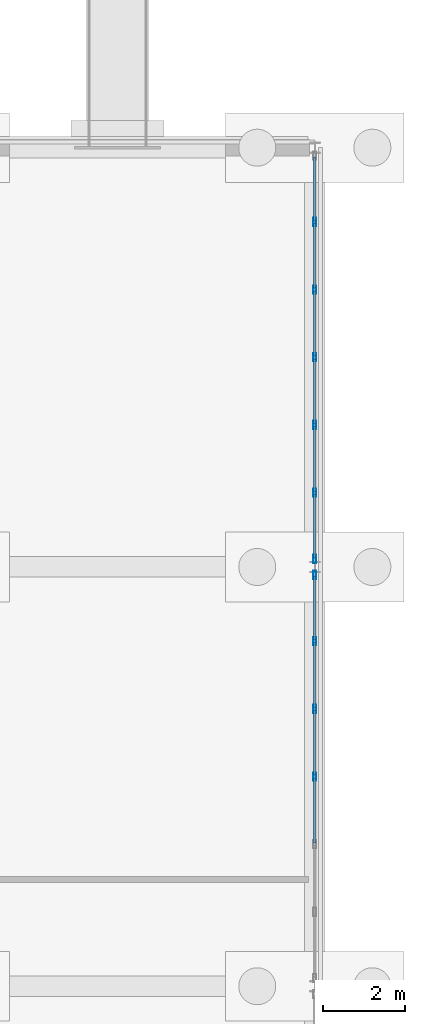
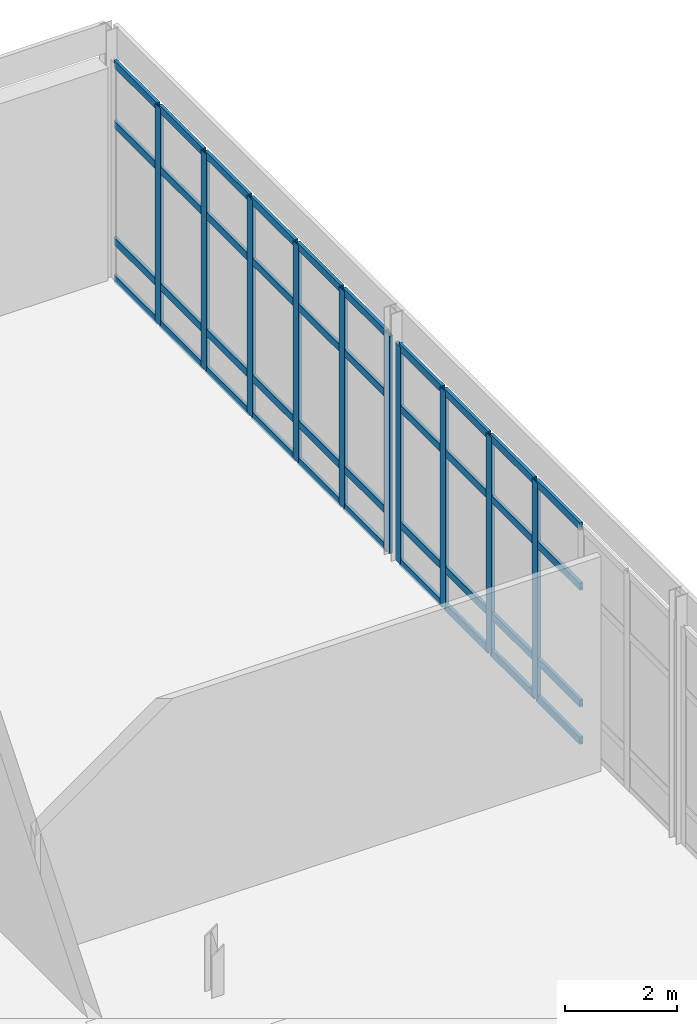
# One storey, part 79 of 137: 50 members, 2 elements without a shape of their own.
"""IFC4 building model written with IfcOpenShell, lengths in metres."""

import ifcopenshell
import ifcopenshell.guid

model = None  # the IFC model being written
_history = None  # IfcOwnerHistory: only IFC2X3 demands one
_inside = {}  # id of a spatial element -> (the spatial element, [elements in it])
_under = {}  # id of a project, library or spatial element -> (it, [spatial elements below it])
_declared = {}  # id of a project -> (the project, [libraries it declares])
_typed = {}  # id of a type object -> (the type object, [elements of that type])
_made_of = {}  # id of a material, layer set ... -> (it, [elements and type objects made of it])


def new_model(schema):
    """Start an empty IFC model of exactly this schema.

    Asked for "IFC4X3", IfcOpenShell would pick the latest addendum, in which some entities
    have other attributes; the version numbers below select the first issue.
    IFC2X3 requires an IfcOwnerHistory on every rooted entity: one is made here for all.
    """
    global model, _history
    if schema == "IFC4X3":
        model = ifcopenshell.file(schema_version=(4, 3, 0, 0))
    else:
        model = ifcopenshell.file(schema=schema)
    _inside.clear()
    _under.clear()
    _declared.clear()
    _typed.clear()
    _made_of.clear()
    _history = None
    if model.schema == "IFC2X3":
        org = make("IfcOrganization", Name="unknown")
        user = make(
            "IfcPersonAndOrganization",
            ThePerson=make("IfcPerson", FamilyName="unknown"),
            TheOrganization=org,
        )
        app = make(
            "IfcApplication",
            ApplicationDeveloper=org,
            Version="unknown",
            ApplicationFullName="unknown",
            ApplicationIdentifier="unknown",
        )
        _history = make(
            "IfcOwnerHistory",
            OwningUser=user,
            OwningApplication=app,
            ChangeAction="ADDED",
            CreationDate=0,
        )
    return model


def make(cls, **values):
    """One entity of the class cls with the attributes given. An attribute that is None is left unset."""
    return model.create_entity(
        cls, **{name: value for name, value in values.items() if value is not None}
    )


def rooted(cls, **values):
    """An entity with a GlobalId (a new one), such as an element, a storey or a relation."""
    return make(cls, GlobalId=ifcopenshell.guid.new(), OwnerHistory=_history, **values)


def si_unit(unit_type, name, prefix=None):
    """IfcSIUnit, for example si_unit("LENGTHUNIT", "METRE", prefix="MILLI")."""
    return make("IfcSIUnit", UnitType=unit_type, Prefix=prefix, Name=name)


def assignment(units):
    """IfcUnitAssignment: the units of a project."""
    return None if units is None else make("IfcUnitAssignment", Units=units)


def point(xyz):
    """IfcCartesianPoint."""
    return None if xyz is None else make("IfcCartesianPoint", Coordinates=xyz)


def direction(xyz):
    """IfcDirection."""
    return None if xyz is None else make("IfcDirection", DirectionRatios=xyz)


def frame(location, z_axis=None, x_axis=None):
    """IfcAxis2Placement3D, a coordinate frame: its origin and axes. An axis left out is left unset."""
    return make(
        "IfcAxis2Placement3D",
        Location=point(location),
        Axis=direction(z_axis),
        RefDirection=direction(x_axis),
    )


def frame_2d(location, x_axis=None):
    """IfcAxis2Placement2D, a coordinate frame in the plane: its origin and x axis."""
    return make(
        "IfcAxis2Placement2D", Location=point(location), RefDirection=direction(x_axis)
    )


def origin():
    """The frame at (0, 0, 0) with its axes left unset."""
    return frame((0.0, 0.0, 0.0))


def origin_2d():
    """The frame at (0, 0) in the plane with its x axis left unset."""
    return frame_2d((0.0, 0.0))


def place(relative_to, where):
    """IfcLocalPlacement: puts the frame where relative to a parent placement (None: the world)."""
    return make(
        "IfcLocalPlacement", PlacementRelTo=relative_to, RelativePlacement=where
    )


def context(
    kind, dimensions, precision=None, world=None, true_north=None, identifier=None
):
    """IfcGeometricRepresentationContext, for example the 3D "Model" context."""
    return make(
        "IfcGeometricRepresentationContext",
        ContextIdentifier=identifier,
        ContextType=kind,
        CoordinateSpaceDimension=dimensions,
        Precision=precision,
        WorldCoordinateSystem=world,
        TrueNorth=true_north,
    )


def subcontext(parent, identifier, kind, view, scale=None):
    """IfcGeometricRepresentationSubContext, for example "Body" below "Model"."""
    return make(
        "IfcGeometricRepresentationSubContext",
        ContextIdentifier=identifier,
        ContextType=kind,
        ParentContext=parent,
        TargetScale=scale,
        TargetView=view,
    )


def project(units=None, contexts=None):
    """IfcProject with its units and contexts."""
    return rooted(
        "IfcProject",
        Name="project",
        RepresentationContexts=contexts,
        UnitsInContext=assignment(units),
    )


def spatial(cls, under=None, at=None, **own):
    """A site, building, storey or space (cls), placed at a placement, below another one or the project."""
    s = rooted(cls, ObjectPlacement=at, **own)
    if under is not None:
        _under.setdefault(under.id(), (under, []))[1].append(s)
    return s


def profile(cls, at=None, kind="AREA", **sizes):
    """A parametric profile (cls). Its sizes go by their IFC names, for example OverallWidth=200.0."""
    return make(cls, ProfileType=kind, Position=at, **sizes)


def hollow_rectangle(**sizes):
    """IfcRectangleHollowProfileDef."""
    return profile("IfcRectangleHollowProfileDef", **sizes)


def extrude(swept, where, along, depth):
    """IfcExtrudedAreaSolid: the profile swept, set in the frame where, extruded along a direction by depth."""
    return make(
        "IfcExtrudedAreaSolid",
        SweptArea=swept,
        Position=where,
        ExtrudedDirection=direction(along),
        Depth=depth,
    )


def shape(context_of_items, identifier, shape_type, items):
    """IfcShapeRepresentation: the items that make up one representation, for example the "Body"."""
    return make(
        "IfcShapeRepresentation",
        ContextOfItems=context_of_items,
        RepresentationIdentifier=identifier,
        RepresentationType=shape_type,
        Items=items,
    )


def material(Name=None, Category=None):
    """IfcMaterial."""
    return make("IfcMaterial", Name=Name, Category=Category)


def material_profile(
    of_material, cross_section, Name=None, Category=None, Priority=None
):
    """IfcMaterialProfile: a cross section and its material."""
    return make(
        "IfcMaterialProfile",
        Name=Name,
        Material=of_material,
        Profile=cross_section,
        Priority=Priority,
        Category=Category,
    )


def profile_set(profiles, Name=None, composite=None):
    """IfcMaterialProfileSet."""
    return make(
        "IfcMaterialProfileSet",
        Name=Name,
        MaterialProfiles=profiles,
        CompositeProfile=composite,
    )


def made_of(thing, what):
    """Note that an element or type object is made of a material, layer set ...; save() writes the relation."""
    if what is not None:
        _made_of.setdefault(what.id(), (what, []))[1].append(thing)
    return thing


def type_object(cls, material=None, **own):
    """A type object (cls), such as IfcWallType, which elements share."""
    return made_of(rooted(cls, **own), material)


def element(
    cls,
    number,
    at=None,
    inside=None,
    cuts=None,
    type_object=None,
    material=None,
    context=None,
    identifier="Body",
    shape_type=None,
    held_by="IfcProductDefinitionShape",
    body=None,
    shapes=None,
    **own,
):
    """One element of the class cls, such as IfcWall. Its Tag is "e" and its number.

    at: its placement. inside: the storey or other place that contains it. cuts: it is an
    opening in that element (IfcRelVoidsElement). A single representation is given by context,
    identifier, shape_type and body (its items); several are given by shapes. held_by: the class
    of the entity that holds the representations. save() writes the other relations.
    """
    e = rooted(cls, Tag="e%d" % number, ObjectPlacement=at, **own)
    if body is not None:
        shapes = [shape(context, identifier, shape_type, body)]
    if shapes is not None:
        e.Representation = make(held_by, Representations=shapes)
    if inside is not None:
        _inside.setdefault(inside.id(), (inside, []))[1].append(e)
    if cuts is not None:
        rooted(
            "IfcRelVoidsElement", RelatingBuildingElement=cuts, RelatedOpeningElement=e
        )
    if type_object is not None:
        _typed.setdefault(type_object.id(), (type_object, []))[1].append(e)
    return made_of(e, material)


def aggregate(whole, parts):
    """IfcRelAggregates: a whole, such as a stair, and the parts it consists of."""
    return rooted("IfcRelAggregates", RelatingObject=whole, RelatedObjects=parts)


def save(model, path):
    """Write the relations noted so far, then the file.

    IfcRelAggregates (storeys below a building ...), IfcRelContainedInSpatialStructure (elements
    in a storey), IfcRelDefinesByType, IfcRelAssociatesMaterial and IfcRelDeclares: one each for
    every whole, place, type object, material and project.
    """
    for whole, parts in _under.values():
        aggregate(whole, parts)
    for where, things in _inside.values():
        rooted(
            "IfcRelContainedInSpatialStructure",
            RelatedElements=things,
            RelatingStructure=where,
        )
    for kind, things in _typed.values():
        rooted("IfcRelDefinesByType", RelatedObjects=things, RelatingType=kind)
    for what, things in _made_of.values():
        rooted("IfcRelAssociatesMaterial", RelatedObjects=things, RelatingMaterial=what)
    for by, libraries in _declared.values():
        rooted("IfcRelDeclares", RelatingContext=by, RelatedDefinitions=libraries)
    model.write(path)


model = new_model("IFC4")

# Units and contexts
model_context = context("Model", 3, precision=1e-05, world=origin(), true_north=direction((0.0, 1.0)))
body_context = subcontext(model_context, "Body", "Model", "MODEL_VIEW")
ifc_project = project(units=[si_unit("LENGTHUNIT", "METRE"), si_unit("AREAUNIT", "SQUARE_METRE"), si_unit("VOLUMEUNIT", "CUBIC_METRE"), si_unit("PLANEANGLEUNIT", "RADIAN"), si_unit("MASSUNIT", "GRAM", prefix="KILO")], contexts=[model_context])

# Site, building, storey
site_placement = place(None, origin())
site = spatial("IfcSite", under=ifc_project, at=site_placement, CompositionType="ELEMENT")
building_placement = place(site_placement, origin())
building = spatial("IfcBuilding", under=site, at=building_placement, Name="Vondelvale Polytechnic", CompositionType="ELEMENT")
storey_placement = place(building_placement, origin())
storey = spatial("IfcBuildingStorey", under=building, at=storey_placement, Name="L00", CompositionType="ELEMENT", Elevation=0.0)

# Curtain wall, members
ifc_material = material(Name="Anodised extruded aluminium 6063-T6", Category="aluminium")
curtain_wall_type = type_object("IfcCurtainWallType", Name="CW-REFECTORY", PredefinedType="NOTDEFINED", material=ifc_material)
curtain_wall_1_placement = place(storey_placement, origin())
curtain_wall_1 = element("IfcCurtainWall", 1, at=curtain_wall_1_placement, inside=storey, type_object=curtain_wall_type, Name="L00 architectural curtain wall CW-05-387", PredefinedType="NOTDEFINED")
ifc_material_profile_1 = material_profile(ifc_material, hollow_rectangle(XDim=0.070068359375, YDim=0.199951171875, WallThickness=0.00390625, at=origin_2d()), Name="CW-MUL-200x70")
ifc_profile_set_1 = profile_set([ifc_material_profile_1], Name="Anodised extruded aluminium 6063-T6")
member_type_1 = type_object("IfcMemberType", Name="CW-MUL-70x200", PredefinedType="MULLION", material=ifc_profile_set_1)
member_1_placement = place(storey_placement, frame((172.800048828125, 76.5, 0.0), z_axis=(0.0, 0.0, 1.0), x_axis=(-1.0, 0.0, 0.0)))
member_1 = element("IfcMember", 2, at=member_1_placement, type_object=member_type_1, Name="CW-05-387 mullion 4", PredefinedType="MULLION", context=body_context, shape_type="SweptSolid", body=[
    extrude(hollow_rectangle(XDim=0.070068359375, YDim=0.199951171875, WallThickness=0.00390625, at=origin_2d()), origin(), (0.0, 0.0, 1.0), 4.75),
])
member_2_placement = place(storey_placement, frame((172.800048828125, 78.146728515625, 0.0), z_axis=(0.0, 0.0, 1.0), x_axis=(-1.0, 0.0, 0.0)))
member_2 = element("IfcMember", 3, at=member_2_placement, type_object=member_type_1, Name="CW-05-387 mullion 5", PredefinedType="MULLION", context=body_context, shape_type="SweptSolid", body=[
    extrude(hollow_rectangle(XDim=0.070068359375, YDim=0.199951171875, WallThickness=0.00390625, at=origin_2d()), origin(), (0.0, 0.0, 1.0), 4.75),
])
member_3_placement = place(storey_placement, frame((172.800048828125, 79.793212890625, 0.0), z_axis=(0.0, 0.0, 1.0), x_axis=(-1.0, 0.0, 0.0)))
member_3 = element("IfcMember", 4, at=member_3_placement, type_object=member_type_1, Name="CW-05-387 mullion 6", PredefinedType="MULLION", context=body_context, shape_type="SweptSolid", body=[
    extrude(hollow_rectangle(XDim=0.070068359375, YDim=0.199951171875, WallThickness=0.00390625, at=origin_2d()), origin(), (0.0, 0.0, 1.0), 4.75),
])
member_4_placement = place(storey_placement, frame((172.800048828125, 81.405029296875, 0.0), z_axis=(0.0, 0.0, 1.0), x_axis=(-1.0, 0.0, 0.0)))
member_4 = element("IfcMember", 5, at=member_4_placement, type_object=member_type_1, Name="CW-05-387 mullion 7", PredefinedType="MULLION", context=body_context, shape_type="SweptSolid", body=[
    extrude(hollow_rectangle(XDim=0.070068359375, YDim=0.199951171875, WallThickness=0.00390625, at=origin_2d()), origin(), (0.0, 0.0, 1.0), 4.75),
])

curtain_wall_2_placement = place(storey_placement, origin())
curtain_wall_2 = element("IfcCurtainWall", 6, at=curtain_wall_2_placement, inside=storey, type_object=curtain_wall_type, Name="L00 architectural curtain wall CW-05-388", PredefinedType="NOTDEFINED")
member_5_placement = place(storey_placement, frame((172.800048828125, 81.794921875, 0.0), z_axis=(0.0, 0.0, 1.0), x_axis=(-1.0, 0.0, 0.0)))
member_5 = element("IfcMember", 7, at=member_5_placement, type_object=member_type_1, Name="CW-05-388 mullion 1", PredefinedType="MULLION", context=body_context, shape_type="SweptSolid", body=[
    extrude(hollow_rectangle(XDim=0.070068359375, YDim=0.199951171875, WallThickness=0.00390625, at=origin_2d()), origin(), (0.0, 0.0, 1.0), 4.75),
])
member_6_placement = place(storey_placement, frame((172.800048828125, 83.40673828125, 0.0), z_axis=(0.0, 0.0, 1.0), x_axis=(-1.0, 0.0, 0.0)))
member_6 = element("IfcMember", 8, at=member_6_placement, type_object=member_type_1, Name="CW-05-388 mullion 2", PredefinedType="MULLION", context=body_context, shape_type="SweptSolid", body=[
    extrude(hollow_rectangle(XDim=0.070068359375, YDim=0.199951171875, WallThickness=0.00390625, at=origin_2d()), origin(), (0.0, 0.0, 1.0), 4.75),
])
member_7_placement = place(storey_placement, frame((172.800048828125, 85.05322265625, 0.0), z_axis=(0.0, 0.0, 1.0), x_axis=(-1.0, 0.0, 0.0)))
member_7 = element("IfcMember", 9, at=member_7_placement, type_object=member_type_1, Name="CW-05-388 mullion 3", PredefinedType="MULLION", context=body_context, shape_type="SweptSolid", body=[
    extrude(hollow_rectangle(XDim=0.070068359375, YDim=0.199951171875, WallThickness=0.00390625, at=origin_2d()), origin(), (0.0, 0.0, 1.0), 4.75),
])
member_8_placement = place(storey_placement, frame((172.800048828125, 86.699951171875, 0.0), z_axis=(0.0, 0.0, 1.0), x_axis=(-1.0, 0.0, 0.0)))
member_8 = element("IfcMember", 10, at=member_8_placement, type_object=member_type_1, Name="CW-05-388 mullion 4", PredefinedType="MULLION", context=body_context, shape_type="SweptSolid", body=[
    extrude(hollow_rectangle(XDim=0.070068359375, YDim=0.199951171875, WallThickness=0.00390625, at=origin_2d()), origin(), (0.0, 0.0, 1.0), 4.75),
])
member_9_placement = place(storey_placement, frame((172.800048828125, 88.3466796875, 0.0), z_axis=(0.0, 0.0, 1.0), x_axis=(-1.0, 0.0, 0.0)))
member_9 = element("IfcMember", 11, at=member_9_placement, type_object=member_type_1, Name="CW-05-388 mullion 5", PredefinedType="MULLION", context=body_context, shape_type="SweptSolid", body=[
    extrude(hollow_rectangle(XDim=0.070068359375, YDim=0.199951171875, WallThickness=0.00390625, at=origin_2d()), origin(), (0.0, 0.0, 1.0), 4.75),
])
member_10_placement = place(storey_placement, frame((172.800048828125, 89.993408203125, 0.0), z_axis=(0.0, 0.0, 1.0), x_axis=(-1.0, 0.0, 0.0)))
member_10 = element("IfcMember", 12, at=member_10_placement, type_object=member_type_1, Name="CW-05-388 mullion 6", PredefinedType="MULLION", context=body_context, shape_type="SweptSolid", body=[
    extrude(hollow_rectangle(XDim=0.070068359375, YDim=0.199951171875, WallThickness=0.00390625, at=origin_2d()), origin(), (0.0, 0.0, 1.0), 4.75),
])

# Member
ifc_material_profile_2 = material_profile(ifc_material, hollow_rectangle(XDim=0.06494140625, YDim=0.159912109375, WallThickness=0.00341796875, at=origin_2d()), Name="CW-TRN-160x65")
ifc_profile_set_2 = profile_set([ifc_material_profile_2], Name="Anodised extruded aluminium 6063-T6")
member_type_2 = type_object("IfcMemberType", Name="CW-TRN-70x160", PredefinedType="USERDEFINED", material=ifc_profile_set_2)
member_11_placement = place(storey_placement, frame((172.800048828125, 74.888427734375, 0.032470703125), z_axis=(0.0, 1.0, 0.0), x_axis=(-1.0, 0.0, 0.0)))
member_11 = element("IfcMember", 13, at=member_11_placement, type_object=member_type_2, Name="CW-05-387 transom 3.1", ObjectType="TRANSOM", PredefinedType="USERDEFINED", context=body_context, shape_type="SweptSolid", body=[
    extrude(hollow_rectangle(XDim=0.06494140625, YDim=0.159912109375, WallThickness=0.00341796875, at=origin_2d()), origin(), (0.0, 0.0, 1.0), 1.57666015625),
])

member_12_placement = place(storey_placement, frame((172.800048828125, 74.888427734375, 0.85009765625), z_axis=(0.0, 1.0, 0.0), x_axis=(-1.0, 0.0, 0.0)))
member_12 = element("IfcMember", 14, at=member_12_placement, type_object=member_type_2, Name="CW-05-387 transom 3.2", ObjectType="TRANSOM", PredefinedType="USERDEFINED", context=body_context, shape_type="SweptSolid", body=[
    extrude(hollow_rectangle(XDim=0.06494140625, YDim=0.159912109375, WallThickness=0.00341796875, at=origin_2d()), origin(), (0.0, 0.0, 1.0), 1.57666015625),
])

member_13_placement = place(storey_placement, frame((172.800048828125, 74.888427734375, 3.39990234375), z_axis=(0.0, 1.0, 0.0), x_axis=(-1.0, 0.0, 0.0)))
member_13 = element("IfcMember", 15, at=member_13_placement, type_object=member_type_2, Name="CW-05-387 transom 3.3", ObjectType="TRANSOM", PredefinedType="USERDEFINED", context=body_context, shape_type="SweptSolid", body=[
    extrude(hollow_rectangle(XDim=0.06494140625, YDim=0.159912109375, WallThickness=0.00341796875, at=origin_2d()), origin(), (0.0, 0.0, 1.0), 1.57666015625),
])

member_14_placement = place(storey_placement, frame((172.800048828125, 74.888427734375, 4.717529296875), z_axis=(0.0, 1.0, 0.0), x_axis=(-1.0, 0.0, 0.0)))
member_14 = element("IfcMember", 16, at=member_14_placement, type_object=member_type_2, Name="CW-05-387 transom 3.4", ObjectType="TRANSOM", PredefinedType="USERDEFINED", context=body_context, shape_type="SweptSolid", body=[
    extrude(hollow_rectangle(XDim=0.06494140625, YDim=0.159912109375, WallThickness=0.00341796875, at=origin_2d()), origin(), (0.0, 0.0, 1.0), 1.57666015625),
])

member_15_placement = place(storey_placement, frame((172.800048828125, 76.534912109375, 0.032470703125), z_axis=(0.0, 1.0, 0.0), x_axis=(-1.0, 0.0, 0.0)))
member_15 = element("IfcMember", 17, at=member_15_placement, type_object=member_type_2, Name="CW-05-387 transom 4.1", ObjectType="TRANSOM", PredefinedType="USERDEFINED", context=body_context, shape_type="SweptSolid", body=[
    extrude(hollow_rectangle(XDim=0.06494140625, YDim=0.159912109375, WallThickness=0.00341796875, at=origin_2d()), origin(), (0.0, 0.0, 1.0), 1.57666015625),
])

member_16_placement = place(storey_placement, frame((172.800048828125, 76.534912109375, 0.85009765625), z_axis=(0.0, 1.0, 0.0), x_axis=(-1.0, 0.0, 0.0)))
member_16 = element("IfcMember", 18, at=member_16_placement, type_object=member_type_2, Name="CW-05-387 transom 4.2", ObjectType="TRANSOM", PredefinedType="USERDEFINED", context=body_context, shape_type="SweptSolid", body=[
    extrude(hollow_rectangle(XDim=0.06494140625, YDim=0.159912109375, WallThickness=0.00341796875, at=origin_2d()), origin(), (0.0, 0.0, 1.0), 1.57666015625),
])

member_17_placement = place(storey_placement, frame((172.800048828125, 76.534912109375, 3.39990234375), z_axis=(0.0, 1.0, 0.0), x_axis=(-1.0, 0.0, 0.0)))
member_17 = element("IfcMember", 19, at=member_17_placement, type_object=member_type_2, Name="CW-05-387 transom 4.3", ObjectType="TRANSOM", PredefinedType="USERDEFINED", context=body_context, shape_type="SweptSolid", body=[
    extrude(hollow_rectangle(XDim=0.06494140625, YDim=0.159912109375, WallThickness=0.00341796875, at=origin_2d()), origin(), (0.0, 0.0, 1.0), 1.57666015625),
])

member_18_placement = place(storey_placement, frame((172.800048828125, 76.534912109375, 4.717529296875), z_axis=(0.0, 1.0, 0.0), x_axis=(-1.0, 0.0, 0.0)))
member_18 = element("IfcMember", 20, at=member_18_placement, type_object=member_type_2, Name="CW-05-387 transom 4.4", ObjectType="TRANSOM", PredefinedType="USERDEFINED", context=body_context, shape_type="SweptSolid", body=[
    extrude(hollow_rectangle(XDim=0.06494140625, YDim=0.159912109375, WallThickness=0.00341796875, at=origin_2d()), origin(), (0.0, 0.0, 1.0), 1.57666015625),
])

member_19_placement = place(storey_placement, frame((172.800048828125, 78.181640625, 0.032470703125), z_axis=(0.0, 1.0, 0.0), x_axis=(-1.0, 0.0, 0.0)))
member_19 = element("IfcMember", 21, at=member_19_placement, type_object=member_type_2, Name="CW-05-387 transom 5.1", ObjectType="TRANSOM", PredefinedType="USERDEFINED", context=body_context, shape_type="SweptSolid", body=[
    extrude(hollow_rectangle(XDim=0.06494140625, YDim=0.159912109375, WallThickness=0.00341796875, at=origin_2d()), origin(), (0.0, 0.0, 1.0), 1.57666015625),
])

member_20_placement = place(storey_placement, frame((172.800048828125, 78.181640625, 0.85009765625), z_axis=(0.0, 1.0, 0.0), x_axis=(-1.0, 0.0, 0.0)))
member_20 = element("IfcMember", 22, at=member_20_placement, type_object=member_type_2, Name="CW-05-387 transom 5.2", ObjectType="TRANSOM", PredefinedType="USERDEFINED", context=body_context, shape_type="SweptSolid", body=[
    extrude(hollow_rectangle(XDim=0.06494140625, YDim=0.159912109375, WallThickness=0.00341796875, at=origin_2d()), origin(), (0.0, 0.0, 1.0), 1.57666015625),
])

member_21_placement = place(storey_placement, frame((172.800048828125, 78.181640625, 3.39990234375), z_axis=(0.0, 1.0, 0.0), x_axis=(-1.0, 0.0, 0.0)))
member_21 = element("IfcMember", 23, at=member_21_placement, type_object=member_type_2, Name="CW-05-387 transom 5.3", ObjectType="TRANSOM", PredefinedType="USERDEFINED", context=body_context, shape_type="SweptSolid", body=[
    extrude(hollow_rectangle(XDim=0.06494140625, YDim=0.159912109375, WallThickness=0.00341796875, at=origin_2d()), origin(), (0.0, 0.0, 1.0), 1.57666015625),
])

member_22_placement = place(storey_placement, frame((172.800048828125, 78.181640625, 4.717529296875), z_axis=(0.0, 1.0, 0.0), x_axis=(-1.0, 0.0, 0.0)))
member_22 = element("IfcMember", 24, at=member_22_placement, type_object=member_type_2, Name="CW-05-387 transom 5.4", ObjectType="TRANSOM", PredefinedType="USERDEFINED", context=body_context, shape_type="SweptSolid", body=[
    extrude(hollow_rectangle(XDim=0.06494140625, YDim=0.159912109375, WallThickness=0.00341796875, at=origin_2d()), origin(), (0.0, 0.0, 1.0), 1.57666015625),
])

member_23_placement = place(storey_placement, frame((172.800048828125, 79.828369140625, 0.032470703125), z_axis=(0.0, 1.0, 0.0), x_axis=(-1.0, 0.0, 0.0)))
member_23 = element("IfcMember", 25, at=member_23_placement, type_object=member_type_2, Name="CW-05-387 transom 6.1", ObjectType="TRANSOM", PredefinedType="USERDEFINED", context=body_context, shape_type="SweptSolid", body=[
    extrude(hollow_rectangle(XDim=0.06494140625, YDim=0.159912109375, WallThickness=0.00341796875, at=origin_2d()), origin(), (0.0, 0.0, 1.0), 1.541748046875),
])

member_24_placement = place(storey_placement, frame((172.800048828125, 79.828369140625, 0.85009765625), z_axis=(0.0, 1.0, 0.0), x_axis=(-1.0, 0.0, 0.0)))
member_24 = element("IfcMember", 26, at=member_24_placement, type_object=member_type_2, Name="CW-05-387 transom 6.2", ObjectType="TRANSOM", PredefinedType="USERDEFINED", context=body_context, shape_type="SweptSolid", body=[
    extrude(hollow_rectangle(XDim=0.06494140625, YDim=0.159912109375, WallThickness=0.00341796875, at=origin_2d()), origin(), (0.0, 0.0, 1.0), 1.541748046875),
])

member_25_placement = place(storey_placement, frame((172.800048828125, 79.828369140625, 3.39990234375), z_axis=(0.0, 1.0, 0.0), x_axis=(-1.0, 0.0, 0.0)))
member_25 = element("IfcMember", 27, at=member_25_placement, type_object=member_type_2, Name="CW-05-387 transom 6.3", ObjectType="TRANSOM", PredefinedType="USERDEFINED", context=body_context, shape_type="SweptSolid", body=[
    extrude(hollow_rectangle(XDim=0.06494140625, YDim=0.159912109375, WallThickness=0.00341796875, at=origin_2d()), origin(), (0.0, 0.0, 1.0), 1.541748046875),
])

member_26_placement = place(storey_placement, frame((172.800048828125, 79.828369140625, 4.717529296875), z_axis=(0.0, 1.0, 0.0), x_axis=(-1.0, 0.0, 0.0)))
member_26 = element("IfcMember", 28, at=member_26_placement, type_object=member_type_2, Name="CW-05-387 transom 6.4", ObjectType="TRANSOM", PredefinedType="USERDEFINED", context=body_context, shape_type="SweptSolid", body=[
    extrude(hollow_rectangle(XDim=0.06494140625, YDim=0.159912109375, WallThickness=0.00341796875, at=origin_2d()), origin(), (0.0, 0.0, 1.0), 1.541748046875),
])

aggregate(curtain_wall_1, [member_1, member_2, member_3, member_4, member_11, member_12, member_13, member_14, member_15, member_16, member_17, member_18, member_19, member_20, member_21, member_22, member_23, member_24, member_25, member_26])

member_27_placement = place(storey_placement, frame((172.800048828125, 81.830078125, 0.032470703125), z_axis=(0.0, 1.0, 0.0), x_axis=(-1.0, 0.0, 0.0)))
member_27 = element("IfcMember", 29, at=member_27_placement, type_object=member_type_2, Name="CW-05-388 transom 1.1", ObjectType="TRANSOM", PredefinedType="USERDEFINED", context=body_context, shape_type="SweptSolid", body=[
    extrude(hollow_rectangle(XDim=0.06494140625, YDim=0.159912109375, WallThickness=0.00341796875, at=origin_2d()), origin(), (0.0, 0.0, 1.0), 1.54150390625),
])

member_28_placement = place(storey_placement, frame((172.800048828125, 81.830078125, 0.85009765625), z_axis=(0.0, 1.0, 0.0), x_axis=(-1.0, 0.0, 0.0)))
member_28 = element("IfcMember", 30, at=member_28_placement, type_object=member_type_2, Name="CW-05-388 transom 1.2", ObjectType="TRANSOM", PredefinedType="USERDEFINED", context=body_context, shape_type="SweptSolid", body=[
    extrude(hollow_rectangle(XDim=0.06494140625, YDim=0.159912109375, WallThickness=0.00341796875, at=origin_2d()), origin(), (0.0, 0.0, 1.0), 1.54150390625),
])

member_29_placement = place(storey_placement, frame((172.800048828125, 81.830078125, 3.39990234375), z_axis=(0.0, 1.0, 0.0), x_axis=(-1.0, 0.0, 0.0)))
member_29 = element("IfcMember", 31, at=member_29_placement, type_object=member_type_2, Name="CW-05-388 transom 1.3", ObjectType="TRANSOM", PredefinedType="USERDEFINED", context=body_context, shape_type="SweptSolid", body=[
    extrude(hollow_rectangle(XDim=0.06494140625, YDim=0.159912109375, WallThickness=0.00341796875, at=origin_2d()), origin(), (0.0, 0.0, 1.0), 1.54150390625),
])

member_30_placement = place(storey_placement, frame((172.800048828125, 81.830078125, 4.717529296875), z_axis=(0.0, 1.0, 0.0), x_axis=(-1.0, 0.0, 0.0)))
member_30 = element("IfcMember", 32, at=member_30_placement, type_object=member_type_2, Name="CW-05-388 transom 1.4", ObjectType="TRANSOM", PredefinedType="USERDEFINED", context=body_context, shape_type="SweptSolid", body=[
    extrude(hollow_rectangle(XDim=0.06494140625, YDim=0.159912109375, WallThickness=0.00341796875, at=origin_2d()), origin(), (0.0, 0.0, 1.0), 1.54150390625),
])

member_31_placement = place(storey_placement, frame((172.800048828125, 83.441650390625, 0.032470703125), z_axis=(0.0, 1.0, 0.0), x_axis=(-1.0, 0.0, 0.0)))
member_31 = element("IfcMember", 33, at=member_31_placement, type_object=member_type_2, Name="CW-05-388 transom 2.1", ObjectType="TRANSOM", PredefinedType="USERDEFINED", context=body_context, shape_type="SweptSolid", body=[
    extrude(hollow_rectangle(XDim=0.06494140625, YDim=0.159912109375, WallThickness=0.00341796875, at=origin_2d()), origin(), (0.0, 0.0, 1.0), 1.57666015625),
])

member_32_placement = place(storey_placement, frame((172.800048828125, 83.441650390625, 0.85009765625), z_axis=(0.0, 1.0, 0.0), x_axis=(-1.0, 0.0, 0.0)))
member_32 = element("IfcMember", 34, at=member_32_placement, type_object=member_type_2, Name="CW-05-388 transom 2.2", ObjectType="TRANSOM", PredefinedType="USERDEFINED", context=body_context, shape_type="SweptSolid", body=[
    extrude(hollow_rectangle(XDim=0.06494140625, YDim=0.159912109375, WallThickness=0.00341796875, at=origin_2d()), origin(), (0.0, 0.0, 1.0), 1.57666015625),
])

member_33_placement = place(storey_placement, frame((172.800048828125, 83.441650390625, 3.39990234375), z_axis=(0.0, 1.0, 0.0), x_axis=(-1.0, 0.0, 0.0)))
member_33 = element("IfcMember", 35, at=member_33_placement, type_object=member_type_2, Name="CW-05-388 transom 2.3", ObjectType="TRANSOM", PredefinedType="USERDEFINED", context=body_context, shape_type="SweptSolid", body=[
    extrude(hollow_rectangle(XDim=0.06494140625, YDim=0.159912109375, WallThickness=0.00341796875, at=origin_2d()), origin(), (0.0, 0.0, 1.0), 1.57666015625),
])

member_34_placement = place(storey_placement, frame((172.800048828125, 83.441650390625, 4.717529296875), z_axis=(0.0, 1.0, 0.0), x_axis=(-1.0, 0.0, 0.0)))
member_34 = element("IfcMember", 36, at=member_34_placement, type_object=member_type_2, Name="CW-05-388 transom 2.4", ObjectType="TRANSOM", PredefinedType="USERDEFINED", context=body_context, shape_type="SweptSolid", body=[
    extrude(hollow_rectangle(XDim=0.06494140625, YDim=0.159912109375, WallThickness=0.00341796875, at=origin_2d()), origin(), (0.0, 0.0, 1.0), 1.57666015625),
])

member_35_placement = place(storey_placement, frame((172.800048828125, 85.08837890625, 0.032470703125), z_axis=(0.0, 1.0, 0.0), x_axis=(-1.0, 0.0, 0.0)))
member_35 = element("IfcMember", 37, at=member_35_placement, type_object=member_type_2, Name="CW-05-388 transom 3.1", ObjectType="TRANSOM", PredefinedType="USERDEFINED", context=body_context, shape_type="SweptSolid", body=[
    extrude(hollow_rectangle(XDim=0.06494140625, YDim=0.159912109375, WallThickness=0.00341796875, at=origin_2d()), origin(), (0.0, 0.0, 1.0), 1.57666015625),
])

member_36_placement = place(storey_placement, frame((172.800048828125, 85.08837890625, 0.85009765625), z_axis=(0.0, 1.0, 0.0), x_axis=(-1.0, 0.0, 0.0)))
member_36 = element("IfcMember", 38, at=member_36_placement, type_object=member_type_2, Name="CW-05-388 transom 3.2", ObjectType="TRANSOM", PredefinedType="USERDEFINED", context=body_context, shape_type="SweptSolid", body=[
    extrude(hollow_rectangle(XDim=0.06494140625, YDim=0.159912109375, WallThickness=0.00341796875, at=origin_2d()), origin(), (0.0, 0.0, 1.0), 1.57666015625),
])

member_37_placement = place(storey_placement, frame((172.800048828125, 85.08837890625, 3.39990234375), z_axis=(0.0, 1.0, 0.0), x_axis=(-1.0, 0.0, 0.0)))
member_37 = element("IfcMember", 39, at=member_37_placement, type_object=member_type_2, Name="CW-05-388 transom 3.3", ObjectType="TRANSOM", PredefinedType="USERDEFINED", context=body_context, shape_type="SweptSolid", body=[
    extrude(hollow_rectangle(XDim=0.06494140625, YDim=0.159912109375, WallThickness=0.00341796875, at=origin_2d()), origin(), (0.0, 0.0, 1.0), 1.57666015625),
])

member_38_placement = place(storey_placement, frame((172.800048828125, 85.08837890625, 4.717529296875), z_axis=(0.0, 1.0, 0.0), x_axis=(-1.0, 0.0, 0.0)))
member_38 = element("IfcMember", 40, at=member_38_placement, type_object=member_type_2, Name="CW-05-388 transom 3.4", ObjectType="TRANSOM", PredefinedType="USERDEFINED", context=body_context, shape_type="SweptSolid", body=[
    extrude(hollow_rectangle(XDim=0.06494140625, YDim=0.159912109375, WallThickness=0.00341796875, at=origin_2d()), origin(), (0.0, 0.0, 1.0), 1.57666015625),
])

member_39_placement = place(storey_placement, frame((172.800048828125, 86.735107421875, 0.032470703125), z_axis=(0.0, 1.0, 0.0), x_axis=(-1.0, 0.0, 0.0)))
member_39 = element("IfcMember", 41, at=member_39_placement, type_object=member_type_2, Name="CW-05-388 transom 4.1", ObjectType="TRANSOM", PredefinedType="USERDEFINED", context=body_context, shape_type="SweptSolid", body=[
    extrude(hollow_rectangle(XDim=0.06494140625, YDim=0.159912109375, WallThickness=0.00341796875, at=origin_2d()), origin(), (0.0, 0.0, 1.0), 1.57666015625),
])

member_40_placement = place(storey_placement, frame((172.800048828125, 86.735107421875, 0.85009765625), z_axis=(0.0, 1.0, 0.0), x_axis=(-1.0, 0.0, 0.0)))
member_40 = element("IfcMember", 42, at=member_40_placement, type_object=member_type_2, Name="CW-05-388 transom 4.2", ObjectType="TRANSOM", PredefinedType="USERDEFINED", context=body_context, shape_type="SweptSolid", body=[
    extrude(hollow_rectangle(XDim=0.06494140625, YDim=0.159912109375, WallThickness=0.00341796875, at=origin_2d()), origin(), (0.0, 0.0, 1.0), 1.57666015625),
])

member_41_placement = place(storey_placement, frame((172.800048828125, 86.735107421875, 3.39990234375), z_axis=(0.0, 1.0, 0.0), x_axis=(-1.0, 0.0, 0.0)))
member_41 = element("IfcMember", 43, at=member_41_placement, type_object=member_type_2, Name="CW-05-388 transom 4.3", ObjectType="TRANSOM", PredefinedType="USERDEFINED", context=body_context, shape_type="SweptSolid", body=[
    extrude(hollow_rectangle(XDim=0.06494140625, YDim=0.159912109375, WallThickness=0.00341796875, at=origin_2d()), origin(), (0.0, 0.0, 1.0), 1.57666015625),
])

member_42_placement = place(storey_placement, frame((172.800048828125, 86.735107421875, 4.717529296875), z_axis=(0.0, 1.0, 0.0), x_axis=(-1.0, 0.0, 0.0)))
member_42 = element("IfcMember", 44, at=member_42_placement, type_object=member_type_2, Name="CW-05-388 transom 4.4", ObjectType="TRANSOM", PredefinedType="USERDEFINED", context=body_context, shape_type="SweptSolid", body=[
    extrude(hollow_rectangle(XDim=0.06494140625, YDim=0.159912109375, WallThickness=0.00341796875, at=origin_2d()), origin(), (0.0, 0.0, 1.0), 1.57666015625),
])

member_43_placement = place(storey_placement, frame((172.800048828125, 88.381591796875, 0.032470703125), z_axis=(0.0, 1.0, 0.0), x_axis=(-1.0, 0.0, 0.0)))
member_43 = element("IfcMember", 45, at=member_43_placement, type_object=member_type_2, Name="CW-05-388 transom 5.1", ObjectType="TRANSOM", PredefinedType="USERDEFINED", context=body_context, shape_type="SweptSolid", body=[
    extrude(hollow_rectangle(XDim=0.06494140625, YDim=0.159912109375, WallThickness=0.00341796875, at=origin_2d()), origin(), (0.0, 0.0, 1.0), 1.57666015625),
])

member_44_placement = place(storey_placement, frame((172.800048828125, 88.381591796875, 0.85009765625), z_axis=(0.0, 1.0, 0.0), x_axis=(-1.0, 0.0, 0.0)))
member_44 = element("IfcMember", 46, at=member_44_placement, type_object=member_type_2, Name="CW-05-388 transom 5.2", ObjectType="TRANSOM", PredefinedType="USERDEFINED", context=body_context, shape_type="SweptSolid", body=[
    extrude(hollow_rectangle(XDim=0.06494140625, YDim=0.159912109375, WallThickness=0.00341796875, at=origin_2d()), origin(), (0.0, 0.0, 1.0), 1.57666015625),
])

member_45_placement = place(storey_placement, frame((172.800048828125, 88.381591796875, 3.39990234375), z_axis=(0.0, 1.0, 0.0), x_axis=(-1.0, 0.0, 0.0)))
member_45 = element("IfcMember", 47, at=member_45_placement, type_object=member_type_2, Name="CW-05-388 transom 5.3", ObjectType="TRANSOM", PredefinedType="USERDEFINED", context=body_context, shape_type="SweptSolid", body=[
    extrude(hollow_rectangle(XDim=0.06494140625, YDim=0.159912109375, WallThickness=0.00341796875, at=origin_2d()), origin(), (0.0, 0.0, 1.0), 1.57666015625),
])

member_46_placement = place(storey_placement, frame((172.800048828125, 88.381591796875, 4.717529296875), z_axis=(0.0, 1.0, 0.0), x_axis=(-1.0, 0.0, 0.0)))
member_46 = element("IfcMember", 48, at=member_46_placement, type_object=member_type_2, Name="CW-05-388 transom 5.4", ObjectType="TRANSOM", PredefinedType="USERDEFINED", context=body_context, shape_type="SweptSolid", body=[
    extrude(hollow_rectangle(XDim=0.06494140625, YDim=0.159912109375, WallThickness=0.00341796875, at=origin_2d()), origin(), (0.0, 0.0, 1.0), 1.57666015625),
])

member_47_placement = place(storey_placement, frame((172.800048828125, 90.0283203125, 0.032470703125), z_axis=(0.0, 1.0, 0.0), x_axis=(-1.0, 0.0, 0.0)))
member_47 = element("IfcMember", 49, at=member_47_placement, type_object=member_type_2, Name="CW-05-388 transom 6.1", ObjectType="TRANSOM", PredefinedType="USERDEFINED", context=body_context, shape_type="SweptSolid", body=[
    extrude(hollow_rectangle(XDim=0.06494140625, YDim=0.159912109375, WallThickness=0.00341796875, at=origin_2d()), origin(), (0.0, 0.0, 1.0), 1.541748046875),
])

member_48_placement = place(storey_placement, frame((172.800048828125, 90.0283203125, 0.85009765625), z_axis=(0.0, 1.0, 0.0), x_axis=(-1.0, 0.0, 0.0)))
member_48 = element("IfcMember", 50, at=member_48_placement, type_object=member_type_2, Name="CW-05-388 transom 6.2", ObjectType="TRANSOM", PredefinedType="USERDEFINED", context=body_context, shape_type="SweptSolid", body=[
    extrude(hollow_rectangle(XDim=0.06494140625, YDim=0.159912109375, WallThickness=0.00341796875, at=origin_2d()), origin(), (0.0, 0.0, 1.0), 1.541748046875),
])

member_49_placement = place(storey_placement, frame((172.800048828125, 90.0283203125, 3.39990234375), z_axis=(0.0, 1.0, 0.0), x_axis=(-1.0, 0.0, 0.0)))
member_49 = element("IfcMember", 51, at=member_49_placement, type_object=member_type_2, Name="CW-05-388 transom 6.3", ObjectType="TRANSOM", PredefinedType="USERDEFINED", context=body_context, shape_type="SweptSolid", body=[
    extrude(hollow_rectangle(XDim=0.06494140625, YDim=0.159912109375, WallThickness=0.00341796875, at=origin_2d()), origin(), (0.0, 0.0, 1.0), 1.541748046875),
])

member_50_placement = place(storey_placement, frame((172.800048828125, 90.0283203125, 4.717529296875), z_axis=(0.0, 1.0, 0.0), x_axis=(-1.0, 0.0, 0.0)))
member_50 = element("IfcMember", 52, at=member_50_placement, type_object=member_type_2, Name="CW-05-388 transom 6.4", ObjectType="TRANSOM", PredefinedType="USERDEFINED", context=body_context, shape_type="SweptSolid", body=[
    extrude(hollow_rectangle(XDim=0.06494140625, YDim=0.159912109375, WallThickness=0.00341796875, at=origin_2d()), origin(), (0.0, 0.0, 1.0), 1.541748046875),
])

aggregate(curtain_wall_2, [member_5, member_6, member_7, member_8, member_9, member_10, member_27, member_28, member_29, member_30, member_31, member_32, member_33, member_34, member_35, member_36, member_37, member_38, member_39, member_40, member_41, member_42, member_43, member_44, member_45, member_46, member_47, member_48, member_49, member_50])

save(model, "model.ifc")
